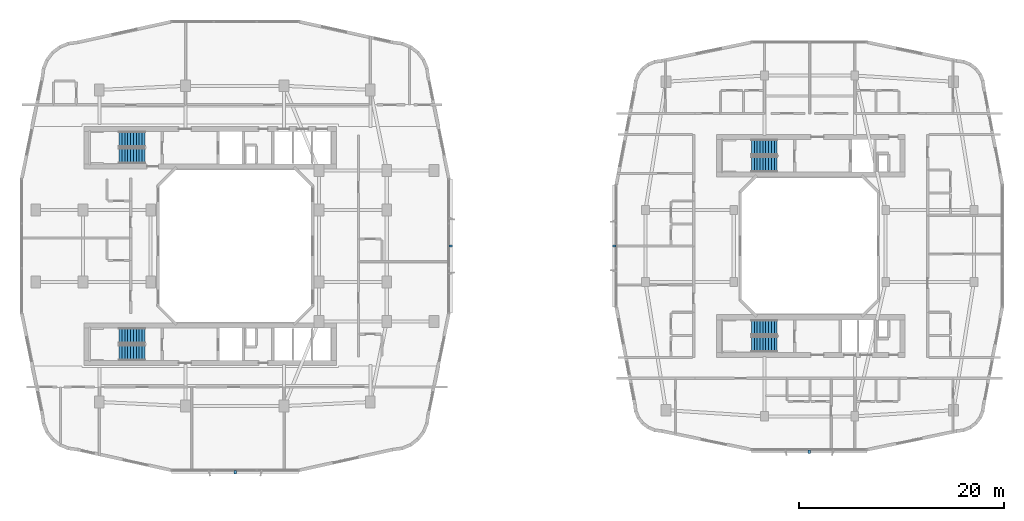
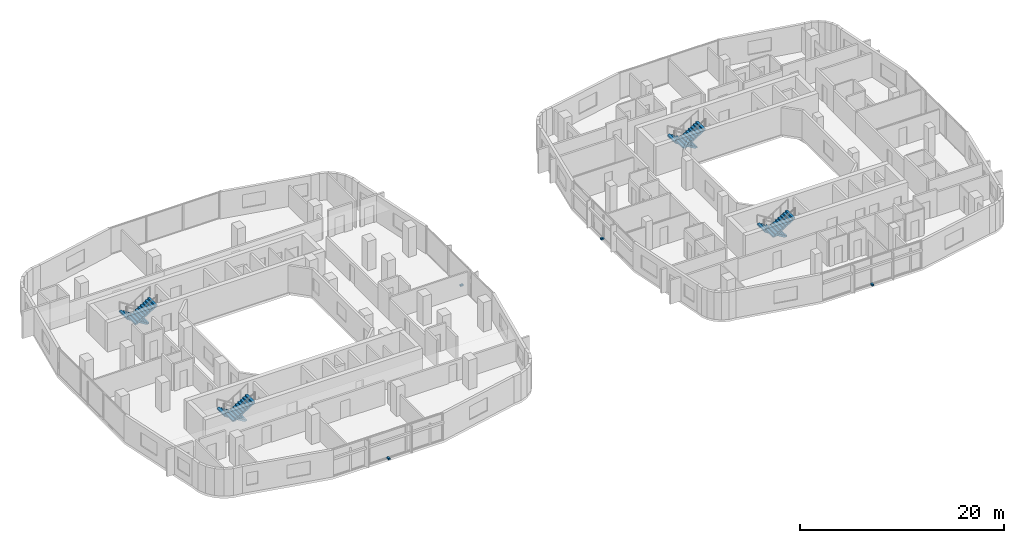
# One storey, part 21 of 26: 8 stair flights, 4 discrete accessories, 4 elements without a shape of their own.
"""IFC4 building model written with IfcOpenShell, lengths in metres."""

from ifc_helpers import new_model, si_unit, derived_unit, direction, frame, origin, origin_2d, place, context, subcontext, project, spatial, polyline, rectangle, outline, extrude, material, type_object, element, aggregate, save


model = new_model("IFC4")

# Units and contexts
model_context = context("Model", 3, precision=1e-05, world=origin(), true_north=direction((0.0, 1.0)))
body_context = subcontext(model_context, "Body", "Model", "MODEL_VIEW")
ifc_project = project(units=[si_unit("LENGTHUNIT", "METRE"), si_unit("AREAUNIT", "SQUARE_METRE"), si_unit("VOLUMEUNIT", "CUBIC_METRE"), si_unit("PLANEANGLEUNIT", "RADIAN"), si_unit("MASSUNIT", "GRAM", prefix="KILO"), derived_unit("THERMALTRANSMITTANCEUNIT", [(si_unit("POWERUNIT", "WATT"), 1), (si_unit("LENGTHUNIT", "METRE"), -2), (si_unit("THERMODYNAMICTEMPERATUREUNIT", "KELVIN"), -1)])], contexts=[model_context])

# Site, building, storey
site_placement = place(None, origin())
site = spatial("IfcSite", under=ifc_project, at=site_placement, CompositionType="ELEMENT")
building_placement = place(site_placement, origin())
building = spatial("IfcBuilding", under=site, at=building_placement, Name="Kivonza Crest Hotel", CompositionType="ELEMENT")
storey_placement = place(building_placement, frame((0.0, 0.0, 62.5)))
storey = spatial("IfcBuildingStorey", under=building, at=storey_placement, Name="L16", CompositionType="ELEMENT", Elevation=62.5)

# Stair, stair flights
ifc_material_1 = material(Name="Concrete C40/50", Category="concrete")
stair_type = type_object("IfcStairType", Name="ST-DL-20R", PredefinedType="HALF_TURN_STAIR", material=ifc_material_1)
stair_1_placement = place(storey_placement, origin())
stair_1 = element("IfcStair", 1, at=stair_1_placement, inside=storey, type_object=stair_type, Name="L16 Protected Exit Stair ST-T1-N", PredefinedType="HALF_TURN_STAIR")
stair_flight_type = type_object("IfcStairFlightType", Name="SFL-RC-10R", PredefinedType="STRAIGHT", material=ifc_material_1)
stair_flight_1_placement = place(storey_placement, frame((12.239990234375, 35.409912109375, 0.0), z_axis=(0.0, 0.0, 1.0), x_axis=(-1.0, 0.0, 0.0)))
stair_flight_1 = element("IfcStairFlight", 2, at=stair_flight_1_placement, type_object=stair_flight_type, Name="ST-T1-N flight 1", NumberOfRisers=10, NumberOfTreads=9, PredefinedType="STRAIGHT", RiserHeight=0.175, TreadLength=0.28, context=body_context, shape_type="SweptSolid", body=[
    extrude(outline(polyline([(0.0, 0.0), (0.0, 0.175048828125), (0.280029296875, 0.175048828125), (0.280029296875, 0.35009765625), (0.56005859375, 0.35009765625), (0.56005859375, 0.52490234375), (0.840087890625, 0.52490234375), (0.840087890625, 0.699951171875), (1.1201171875, 0.699951171875), (1.1201171875, 0.875), (1.39990234375, 0.875), (1.39990234375, 1.050048828125), (1.679931640625, 1.050048828125), (1.679931640625, 1.22509765625), (1.9599609375, 1.22509765625), (1.9599609375, 1.39990234375), (2.239990234375, 1.39990234375), (2.239990234375, 1.574951171875), (2.52001953125, 1.574951171875), (2.52001953125, 1.75), (2.52001953125, 1.398193359375), (0.28271484375, 0.0), (0.0, 0.0)])), frame((0.0, 0.75, 0.0), z_axis=(0.0, -1.0, 0.0), x_axis=(1.0, 0.0, 0.0)), (0.0, 0.0, 1.0), 1.5),
])
stair_flight_2_placement = place(storey_placement, frame((9.719970703125, 33.77001953125, 1.75), z_axis=(0.0, 0.0, 1.0), x_axis=(1.0, 0.0, 0.0)))
stair_flight_2 = element("IfcStairFlight", 3, at=stair_flight_2_placement, type_object=stair_flight_type, Name="ST-T1-N flight 2", NumberOfRisers=10, NumberOfTreads=9, PredefinedType="STRAIGHT", RiserHeight=0.175, TreadLength=0.28, context=body_context, shape_type="SweptSolid", body=[
    extrude(outline(polyline([(0.0, 0.0), (0.0, 0.175048828125), (0.280029296875, 0.175048828125), (0.280029296875, 0.35009765625), (0.56005859375, 0.35009765625), (0.56005859375, 0.52490234375), (0.840087890625, 0.52490234375), (0.840087890625, 0.699951171875), (1.1201171875, 0.699951171875), (1.1201171875, 0.875), (1.39990234375, 0.875), (1.39990234375, 1.050048828125), (1.679931640625, 1.050048828125), (1.679931640625, 1.22509765625), (1.9599609375, 1.22509765625), (1.9599609375, 1.39990234375), (2.239990234375, 1.39990234375), (2.239990234375, 1.574951171875), (2.52001953125, 1.574951171875), (2.52001953125, 1.75), (2.52001953125, 1.398193359375), (0.28271484375, 0.0), (0.0, 0.0)])), frame((0.0, 0.75, 0.0), z_axis=(0.0, -1.0, 0.0), x_axis=(1.0, 0.0, 0.0)), (0.0, 0.0, 1.0), 1.5),
])
aggregate(stair_1, [stair_flight_1, stair_flight_2])

stair_2_placement = place(storey_placement, origin())
stair_2 = element("IfcStair", 4, at=stair_2_placement, inside=storey, type_object=stair_type, Name="L16 Protected Exit Stair ST-T1-S", PredefinedType="HALF_TURN_STAIR")
stair_flight_3_placement = place(storey_placement, frame((12.239990234375, 16.25, 0.0), z_axis=(0.0, 0.0, 1.0), x_axis=(-1.0, 0.0, 0.0)))
stair_flight_3 = element("IfcStairFlight", 5, at=stair_flight_3_placement, type_object=stair_flight_type, Name="ST-T1-S flight 1", NumberOfRisers=10, NumberOfTreads=9, PredefinedType="STRAIGHT", RiserHeight=0.175, TreadLength=0.28, context=body_context, shape_type="SweptSolid", body=[
    extrude(outline(polyline([(0.0, 0.0), (0.0, 0.175048828125), (0.280029296875, 0.175048828125), (0.280029296875, 0.35009765625), (0.56005859375, 0.35009765625), (0.56005859375, 0.52490234375), (0.840087890625, 0.52490234375), (0.840087890625, 0.699951171875), (1.1201171875, 0.699951171875), (1.1201171875, 0.875), (1.39990234375, 0.875), (1.39990234375, 1.050048828125), (1.679931640625, 1.050048828125), (1.679931640625, 1.22509765625), (1.9599609375, 1.22509765625), (1.9599609375, 1.39990234375), (2.239990234375, 1.39990234375), (2.239990234375, 1.574951171875), (2.52001953125, 1.574951171875), (2.52001953125, 1.75), (2.52001953125, 1.398193359375), (0.28271484375, 0.0), (0.0, 0.0)])), frame((0.0, 0.75, 0.0), z_axis=(0.0, -1.0, 0.0), x_axis=(1.0, 0.0, 0.0)), (0.0, 0.0, 1.0), 1.5),
])
stair_flight_4_placement = place(storey_placement, frame((9.719970703125, 14.610107421875, 1.75), z_axis=(0.0, 0.0, 1.0), x_axis=(1.0, 0.0, 0.0)))
stair_flight_4 = element("IfcStairFlight", 6, at=stair_flight_4_placement, type_object=stair_flight_type, Name="ST-T1-S flight 2", NumberOfRisers=10, NumberOfTreads=9, PredefinedType="STRAIGHT", RiserHeight=0.175, TreadLength=0.28, context=body_context, shape_type="SweptSolid", body=[
    extrude(outline(polyline([(0.0, 0.0), (0.0, 0.175048828125), (0.280029296875, 0.175048828125), (0.280029296875, 0.35009765625), (0.56005859375, 0.35009765625), (0.56005859375, 0.52490234375), (0.840087890625, 0.52490234375), (0.840087890625, 0.699951171875), (1.1201171875, 0.699951171875), (1.1201171875, 0.875), (1.39990234375, 0.875), (1.39990234375, 1.050048828125), (1.679931640625, 1.050048828125), (1.679931640625, 1.22509765625), (1.9599609375, 1.22509765625), (1.9599609375, 1.39990234375), (2.239990234375, 1.39990234375), (2.239990234375, 1.574951171875), (2.52001953125, 1.574951171875), (2.52001953125, 1.75), (2.52001953125, 1.398193359375), (0.28271484375, 0.0), (0.0, 0.0)])), frame((0.0, 0.75, 0.0), z_axis=(0.0, -1.0, 0.0), x_axis=(1.0, 0.0, 0.0)), (0.0, 0.0, 1.0), 1.5),
])
aggregate(stair_2, [stair_flight_3, stair_flight_4])

stair_3_placement = place(storey_placement, origin())
stair_3 = element("IfcStair", 7, at=stair_3_placement, inside=storey, type_object=stair_type, Name="L16 Protected Exit Stair ST-T2-N", PredefinedType="HALF_TURN_STAIR")
stair_flight_5_placement = place(storey_placement, frame((73.840087890625, 34.610107421875, 0.0), z_axis=(0.0, 0.0, 1.0), x_axis=(-1.0, 0.0, 0.0)))
stair_flight_5 = element("IfcStairFlight", 8, at=stair_flight_5_placement, type_object=stair_flight_type, Name="ST-T2-N flight 1", NumberOfRisers=10, NumberOfTreads=9, PredefinedType="STRAIGHT", RiserHeight=0.175, TreadLength=0.28, context=body_context, shape_type="SweptSolid", body=[
    extrude(outline(polyline([(0.0, 0.0), (0.0, 0.175048828125), (0.280029296875, 0.175048828125), (0.280029296875, 0.35009765625), (0.56005859375, 0.35009765625), (0.56005859375, 0.52490234375), (0.840087890625, 0.52490234375), (0.840087890625, 0.699951171875), (1.1201171875, 0.699951171875), (1.1201171875, 0.875), (1.39990234375, 0.875), (1.39990234375, 1.050048828125), (1.679931640625, 1.050048828125), (1.679931640625, 1.22509765625), (1.9599609375, 1.22509765625), (1.9599609375, 1.39990234375), (2.239990234375, 1.39990234375), (2.239990234375, 1.574951171875), (2.52001953125, 1.574951171875), (2.52001953125, 1.75), (2.52001953125, 1.398193359375), (0.28271484375, 0.0), (0.0, 0.0)])), frame((0.0, 0.75, 0.0), z_axis=(0.0, -1.0, 0.0), x_axis=(1.0, 0.0, 0.0)), (0.0, 0.0, 1.0), 1.5),
])
stair_flight_6_placement = place(storey_placement, frame((71.320068359375, 32.969970703125, 1.75), z_axis=(0.0, 0.0, 1.0), x_axis=(1.0, 0.0, 0.0)))
stair_flight_6 = element("IfcStairFlight", 9, at=stair_flight_6_placement, type_object=stair_flight_type, Name="ST-T2-N flight 2", NumberOfRisers=10, NumberOfTreads=9, PredefinedType="STRAIGHT", RiserHeight=0.175, TreadLength=0.28, context=body_context, shape_type="SweptSolid", body=[
    extrude(outline(polyline([(0.0, 0.0), (0.0, 0.175048828125), (0.280029296875, 0.175048828125), (0.280029296875, 0.35009765625), (0.56005859375, 0.35009765625), (0.56005859375, 0.52490234375), (0.840087890625, 0.52490234375), (0.840087890625, 0.699951171875), (1.1201171875, 0.699951171875), (1.1201171875, 0.875), (1.39990234375, 0.875), (1.39990234375, 1.050048828125), (1.679931640625, 1.050048828125), (1.679931640625, 1.22509765625), (1.9599609375, 1.22509765625), (1.9599609375, 1.39990234375), (2.239990234375, 1.39990234375), (2.239990234375, 1.574951171875), (2.52001953125, 1.574951171875), (2.52001953125, 1.75), (2.52001953125, 1.398193359375), (0.28271484375, 0.0), (0.0, 0.0)])), frame((0.0, 0.75, 0.0), z_axis=(0.0, -1.0, 0.0), x_axis=(1.0, 0.0, 0.0)), (0.0, 0.0, 1.0), 1.5),
])
aggregate(stair_3, [stair_flight_5, stair_flight_6])

stair_4_placement = place(storey_placement, origin())
stair_4 = element("IfcStair", 10, at=stair_4_placement, inside=storey, type_object=stair_type, Name="L16 Protected Exit Stair ST-T2-S", PredefinedType="HALF_TURN_STAIR")
stair_flight_7_placement = place(storey_placement, frame((73.840087890625, 17.050048828125, 0.0), z_axis=(0.0, 0.0, 1.0), x_axis=(-1.0, 0.0, 0.0)))
stair_flight_7 = element("IfcStairFlight", 11, at=stair_flight_7_placement, type_object=stair_flight_type, Name="ST-T2-S flight 1", NumberOfRisers=10, NumberOfTreads=9, PredefinedType="STRAIGHT", RiserHeight=0.175, TreadLength=0.28, context=body_context, shape_type="SweptSolid", body=[
    extrude(outline(polyline([(0.0, 0.0), (0.0, 0.175048828125), (0.280029296875, 0.175048828125), (0.280029296875, 0.35009765625), (0.56005859375, 0.35009765625), (0.56005859375, 0.52490234375), (0.840087890625, 0.52490234375), (0.840087890625, 0.699951171875), (1.1201171875, 0.699951171875), (1.1201171875, 0.875), (1.39990234375, 0.875), (1.39990234375, 1.050048828125), (1.679931640625, 1.050048828125), (1.679931640625, 1.22509765625), (1.9599609375, 1.22509765625), (1.9599609375, 1.39990234375), (2.239990234375, 1.39990234375), (2.239990234375, 1.574951171875), (2.52001953125, 1.574951171875), (2.52001953125, 1.75), (2.52001953125, 1.398193359375), (0.28271484375, 0.0), (0.0, 0.0)])), frame((0.0, 0.75, 0.0), z_axis=(0.0, -1.0, 0.0), x_axis=(1.0, 0.0, 0.0)), (0.0, 0.0, 1.0), 1.5),
])
stair_flight_8_placement = place(storey_placement, frame((71.320068359375, 15.409912109375, 1.75), z_axis=(0.0, 0.0, 1.0), x_axis=(1.0, 0.0, 0.0)))
stair_flight_8 = element("IfcStairFlight", 12, at=stair_flight_8_placement, type_object=stair_flight_type, Name="ST-T2-S flight 2", NumberOfRisers=10, NumberOfTreads=9, PredefinedType="STRAIGHT", RiserHeight=0.175, TreadLength=0.28, context=body_context, shape_type="SweptSolid", body=[
    extrude(outline(polyline([(0.0, 0.0), (0.0, 0.175048828125), (0.280029296875, 0.175048828125), (0.280029296875, 0.35009765625), (0.56005859375, 0.35009765625), (0.56005859375, 0.52490234375), (0.840087890625, 0.52490234375), (0.840087890625, 0.699951171875), (1.1201171875, 0.699951171875), (1.1201171875, 0.875), (1.39990234375, 0.875), (1.39990234375, 1.050048828125), (1.679931640625, 1.050048828125), (1.679931640625, 1.22509765625), (1.9599609375, 1.22509765625), (1.9599609375, 1.39990234375), (2.239990234375, 1.39990234375), (2.239990234375, 1.574951171875), (2.52001953125, 1.574951171875), (2.52001953125, 1.75), (2.52001953125, 1.398193359375), (0.28271484375, 0.0), (0.0, 0.0)])), frame((0.0, 0.75, 0.0), z_axis=(0.0, -1.0, 0.0), x_axis=(1.0, 0.0, 0.0)), (0.0, 0.0, 1.0), 1.5),
])
aggregate(stair_4, [stair_flight_7, stair_flight_8])

# Discrete accessories
ifc_material_2 = material(Name="Stainless steel 316", Category="steel")
discrete_accessory_type = type_object("IfcDiscreteAccessoryType", Name="AC-BRACKET-240", PredefinedType="BRACKET", material=ifc_material_2)
for number, where, z_axis, x_axis, name in (
    (13, (21.0400390625, 2.9599609375, -0.009765625), (0.0, 0.0, 1.0), (1.0, 0.0, 0.0), "L16 terracotta baguette support bracket CW-T1-L16-08"),
    (14, (42.0400390625, 25.0, -0.009765625), (0.0, 0.0, 1.0), (0.0, 1.0, 0.0), "L16 terracotta baguette support bracket CW-T1-L16-17"),
    (15, (76.9599609375, 4.9599609375, -0.009765625), (0.0, 0.0, 1.0), (1.0, 0.0, 0.0), "L16 terracotta baguette support bracket CW-T2-L16-08"),
    (16, (57.9599609375, 25.0, -0.009765625), (0.0, 0.0, 1.0), (0.0, -1.0, 0.0), "L16 terracotta baguette support bracket CW-T2-L16-35"),
):
    element("IfcDiscreteAccessory", number, at=place(storey_placement, frame(where, z_axis=z_axis, x_axis=x_axis)), inside=storey, type_object=discrete_accessory_type, Name=name, PredefinedType="BRACKET", context=body_context, shape_type="SweptSolid", body=[
        extrude(rectangle(XDim=0.219970703125, YDim=0.340087890625, at=origin_2d()), origin(), (0.0, 0.0, 1.0), 0.179931640625),
    ])

save(model, "model.ifc")
